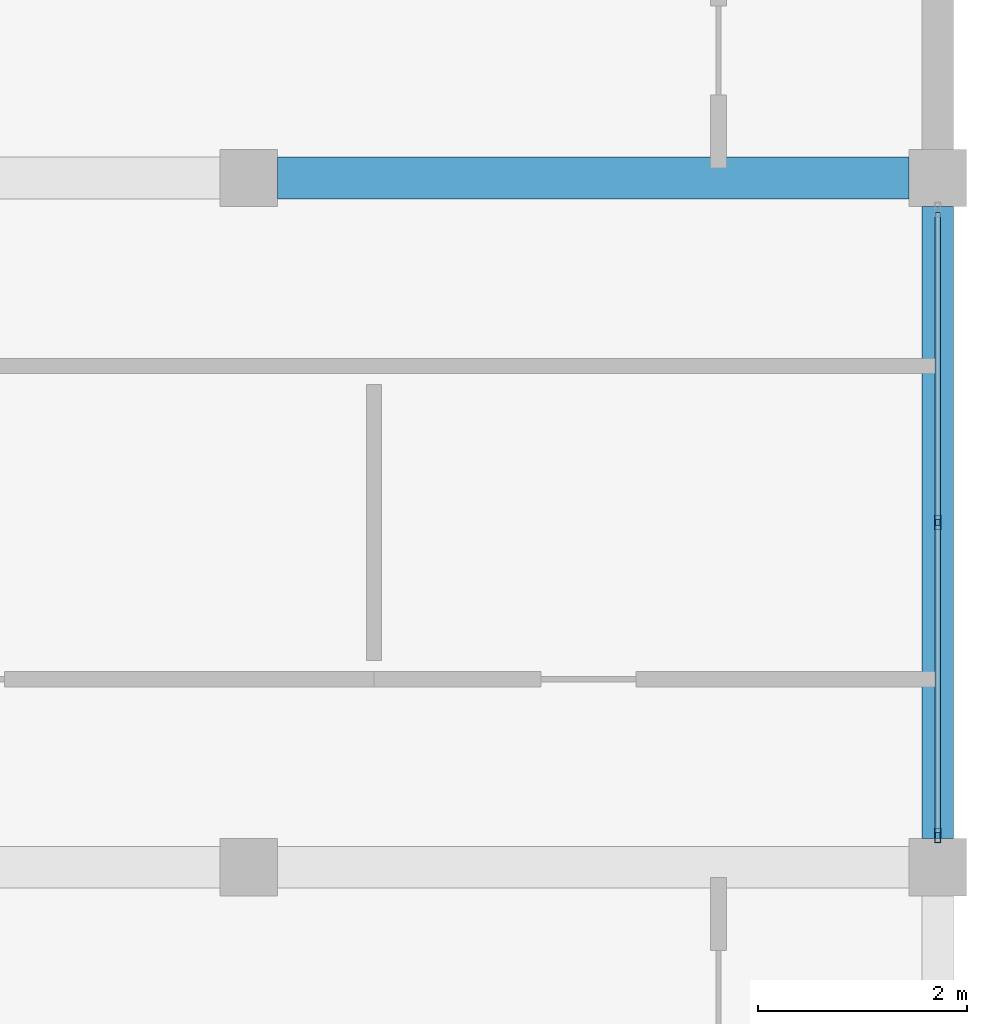
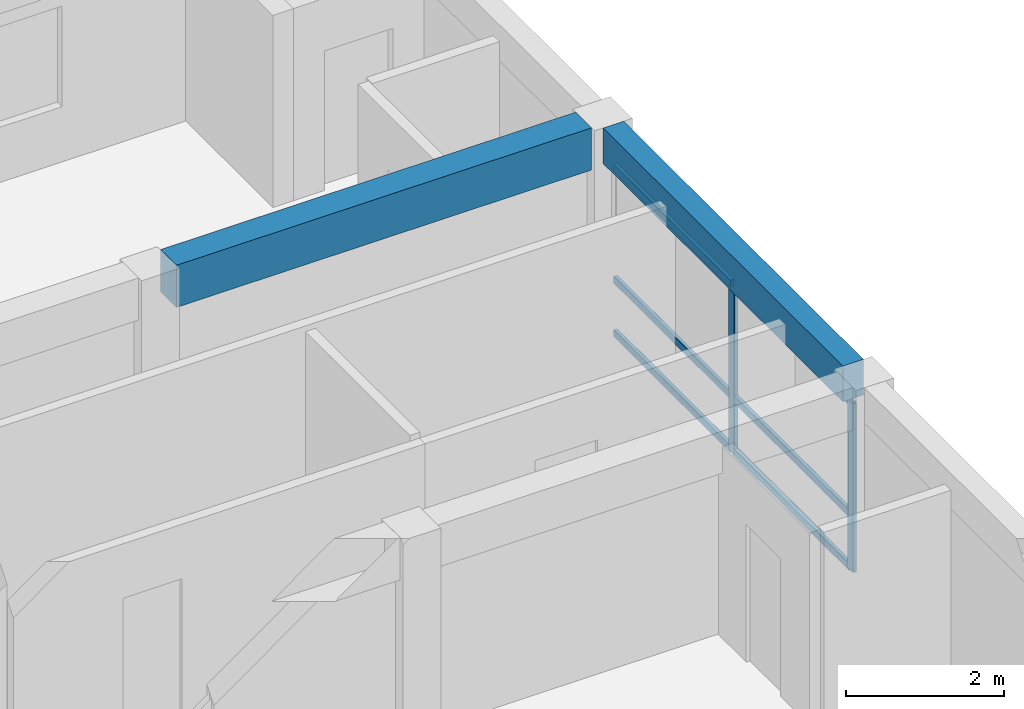
# One storey, part 22 of 52: 8 members, 2 beams, 1 element without a shape of its own.
"""IFC4 building model written with IfcOpenShell, lengths in metres."""

from ifc_helpers import new_model, si_unit, direction, frame, origin, origin_2d, place, context, subcontext, project, spatial, rectangle, hollow_rectangle, extrude, material, material_profile, profile_set, type_object, element, aggregate, save


model = new_model("IFC4")

# Units and contexts
model_context = context("Model", 3, precision=1e-05, world=origin(), true_north=direction((0.0, 1.0)))
body_context = subcontext(model_context, "Body", "Model", "MODEL_VIEW")
ifc_project = project(units=[si_unit("LENGTHUNIT", "METRE"), si_unit("AREAUNIT", "SQUARE_METRE"), si_unit("VOLUMEUNIT", "CUBIC_METRE"), si_unit("PLANEANGLEUNIT", "RADIAN"), si_unit("MASSUNIT", "GRAM", prefix="KILO")], contexts=[model_context])

# Site, building, storey
site_placement = place(None, origin())
site = spatial("IfcSite", under=ifc_project, at=site_placement, CompositionType="ELEMENT")
building_placement = place(site_placement, origin())
building = spatial("IfcBuilding", under=site, at=building_placement, Name="Kernevlak Ridge Housing Community", CompositionType="ELEMENT")
storey_placement = place(building_placement, frame((0.0, 0.0, 11.60009765625)))
storey = spatial("IfcBuildingStorey", under=building, at=storey_placement, Name="L03", CompositionType="ELEMENT", Elevation=11.60009765625)

# Beam
ifc_material_1 = material(Name="Concrete C35/45", Category="concrete")
ifc_material_profile_1 = material_profile(ifc_material_1, rectangle(XDim=0.39990234375, YDim=0.64990234375, at=origin_2d()), Name="RC 400x650")
ifc_profile_set_1 = profile_set([ifc_material_profile_1], Name="Concrete C35/45")
beam_type_1 = type_object("IfcBeamType", Name="B-03", PredefinedType="T_BEAM", material=ifc_profile_set_1)
beam_1_placement = place(storey_placement, frame((146.074951171875, 95.800048828125, 2.875), z_axis=(1.0, 0.0, 0.0), x_axis=(0.0, 1.0, 0.0)))
element("IfcBeam", 1, at=beam_1_placement, inside=storey, type_object=beam_type_1, Name="Beam B-03 L03 669", PredefinedType="T_BEAM", context=body_context, shape_type="SweptSolid", body=[
    extrude(rectangle(XDim=0.39990234375, YDim=0.64990234375, at=origin_2d()), origin(), (0.0, 0.0, 1.0), 6.050048828125),
])

# Curtain wall, members
ifc_material_2 = material(Name="Aluminium EN AW-6060 anodised and laminated glass", Category="aluminium")
curtain_wall_type = type_object("IfcCurtainWallType", Name="CW-11", PredefinedType="NOTDEFINED", material=ifc_material_2)
curtain_wall_placement = place(storey_placement, origin())
curtain_wall = element("IfcCurtainWall", 2, at=curtain_wall_placement, inside=storey, type_object=curtain_wall_type, Name="Curtain wall CW-11 CW-L03-066", PredefinedType="NOTDEFINED")
ifc_material_3 = material(Name="Aluminium EN AW-6060 anodised", Category="aluminium")
ifc_material_profile_2 = material_profile(ifc_material_3, hollow_rectangle(XDim=0.054931640625, YDim=0.139892578125, WallThickness=0.00390625, InnerFilletRadius=0.001953125, OuterFilletRadius=0.00390625, at=origin_2d()), Name="ALU 55x140x4")
ifc_profile_set_2 = profile_set([ifc_material_profile_2], Name="Aluminium EN AW-6060 anodised")
member_type_1 = type_object("IfcMemberType", Name="MU-01", PredefinedType="MULLION", material=ifc_profile_set_2)
member_1_placement = place(storey_placement, frame((152.39990234375, 89.50244140625, 0.0), z_axis=(0.0, 0.0, 1.0), x_axis=(-1.0, 0.0, 0.0)))
member_1 = element("IfcMember", 3, at=member_1_placement, type_object=member_type_1, Name="CW-11 mullion 1", PredefinedType="MULLION", context=body_context, shape_type="SweptSolid", body=[
    extrude(hollow_rectangle(XDim=0.054931640625, YDim=0.139892578125, WallThickness=0.00390625, InnerFilletRadius=0.001953125, OuterFilletRadius=0.00390625, at=origin_2d()), origin(), (0.0, 0.0, 1.0), 2.599853515625),
])
member_2_placement = place(storey_placement, frame((152.39990234375, 92.5, 0.0), z_axis=(0.0, 0.0, 1.0), x_axis=(-1.0, 0.0, 0.0)))
member_2 = element("IfcMember", 4, at=member_2_placement, type_object=member_type_1, Name="CW-11 mullion 2", PredefinedType="MULLION", context=body_context, shape_type="SweptSolid", body=[
    extrude(hollow_rectangle(XDim=0.054931640625, YDim=0.139892578125, WallThickness=0.00390625, InnerFilletRadius=0.001953125, OuterFilletRadius=0.00390625, at=origin_2d()), origin(), (0.0, 0.0, 1.0), 2.599853515625),
])

# Beam
ifc_material_profile_3 = material_profile(ifc_material_1, rectangle(XDim=0.300048828125, YDim=0.550048828125, at=origin_2d()), Name="RC 300x550")
ifc_profile_set_3 = profile_set([ifc_material_profile_3], Name="Concrete C35/45")
beam_type_2 = type_object("IfcBeamType", Name="SP-01", PredefinedType="SPANDREL", material=ifc_profile_set_3)
beam_2_placement = place(storey_placement, frame((152.39990234375, 89.47509765625, 2.9248046875), z_axis=(0.0, 1.0, 0.0), x_axis=(-1.0, 0.0, 0.0)))
element("IfcBeam", 5, at=beam_2_placement, inside=storey, type_object=beam_type_2, Name="Beam SP-01 L03 679", PredefinedType="SPANDREL", context=body_context, shape_type="SweptSolid", body=[
    extrude(rectangle(XDim=0.300048828125, YDim=0.550048828125, at=origin_2d()), origin(), (0.0, 0.0, 1.0), 6.0498046875),
])

# Member
ifc_material_profile_4 = material_profile(ifc_material_3, hollow_rectangle(XDim=0.054931640625, YDim=0.110107421875, WallThickness=0.00390625, InnerFilletRadius=0.001953125, OuterFilletRadius=0.00390625, at=origin_2d()), Name="ALU 55x110x4")
ifc_profile_set_4 = profile_set([ifc_material_profile_4], Name="Aluminium EN AW-6060 anodised")
member_type_2 = type_object("IfcMemberType", Name="TM-01", PredefinedType="USERDEFINED", material=ifc_profile_set_4)
member_3_placement = place(storey_placement, frame((152.39990234375, 89.530029296875, 0.02734375), z_axis=(0.0, 1.0, 0.0), x_axis=(-1.0, 0.0, 0.0)))
member_3 = element("IfcMember", 6, at=member_3_placement, type_object=member_type_2, Name="CW-11 transom 1.1", ObjectType="TRANSOM", PredefinedType="USERDEFINED", context=body_context, shape_type="SweptSolid", body=[
    extrude(hollow_rectangle(XDim=0.054931640625, YDim=0.110107421875, WallThickness=0.00390625, InnerFilletRadius=0.001953125, OuterFilletRadius=0.00390625, at=origin_2d()), origin(), (0.0, 0.0, 1.0), 2.9423828125),
])

member_4_placement = place(storey_placement, frame((152.39990234375, 89.530029296875, 0.849853515625), z_axis=(0.0, 1.0, 0.0), x_axis=(-1.0, 0.0, 0.0)))
member_4 = element("IfcMember", 7, at=member_4_placement, type_object=member_type_2, Name="CW-11 transom 1.2", ObjectType="TRANSOM", PredefinedType="USERDEFINED", context=body_context, shape_type="SweptSolid", body=[
    extrude(hollow_rectangle(XDim=0.054931640625, YDim=0.110107421875, WallThickness=0.00390625, InnerFilletRadius=0.001953125, OuterFilletRadius=0.00390625, at=origin_2d()), origin(), (0.0, 0.0, 1.0), 2.9423828125),
])

member_5_placement = place(storey_placement, frame((152.39990234375, 89.530029296875, 2.572509765625), z_axis=(0.0, 1.0, 0.0), x_axis=(-1.0, 0.0, 0.0)))
member_5 = element("IfcMember", 8, at=member_5_placement, type_object=member_type_2, Name="CW-11 transom 1.3", ObjectType="TRANSOM", PredefinedType="USERDEFINED", context=body_context, shape_type="SweptSolid", body=[
    extrude(hollow_rectangle(XDim=0.054931640625, YDim=0.110107421875, WallThickness=0.00390625, InnerFilletRadius=0.001953125, OuterFilletRadius=0.00390625, at=origin_2d()), origin(), (0.0, 0.0, 1.0), 2.9423828125),
])

member_6_placement = place(storey_placement, frame((152.39990234375, 92.527587890625, 0.02734375), z_axis=(0.0, 1.0, 0.0), x_axis=(-1.0, 0.0, 0.0)))
member_6 = element("IfcMember", 9, at=member_6_placement, type_object=member_type_2, Name="CW-11 transom 2.1", ObjectType="TRANSOM", PredefinedType="USERDEFINED", context=body_context, shape_type="SweptSolid", body=[
    extrude(hollow_rectangle(XDim=0.054931640625, YDim=0.110107421875, WallThickness=0.00390625, InnerFilletRadius=0.001953125, OuterFilletRadius=0.00390625, at=origin_2d()), origin(), (0.0, 0.0, 1.0), 2.9423828125),
])

member_7_placement = place(storey_placement, frame((152.39990234375, 92.527587890625, 0.849853515625), z_axis=(0.0, 1.0, 0.0), x_axis=(-1.0, 0.0, 0.0)))
member_7 = element("IfcMember", 10, at=member_7_placement, type_object=member_type_2, Name="CW-11 transom 2.2", ObjectType="TRANSOM", PredefinedType="USERDEFINED", context=body_context, shape_type="SweptSolid", body=[
    extrude(hollow_rectangle(XDim=0.054931640625, YDim=0.110107421875, WallThickness=0.00390625, InnerFilletRadius=0.001953125, OuterFilletRadius=0.00390625, at=origin_2d()), origin(), (0.0, 0.0, 1.0), 2.9423828125),
])

member_8_placement = place(storey_placement, frame((152.39990234375, 92.527587890625, 2.572509765625), z_axis=(0.0, 1.0, 0.0), x_axis=(-1.0, 0.0, 0.0)))
member_8 = element("IfcMember", 11, at=member_8_placement, type_object=member_type_2, Name="CW-11 transom 2.3", ObjectType="TRANSOM", PredefinedType="USERDEFINED", context=body_context, shape_type="SweptSolid", body=[
    extrude(hollow_rectangle(XDim=0.054931640625, YDim=0.110107421875, WallThickness=0.00390625, InnerFilletRadius=0.001953125, OuterFilletRadius=0.00390625, at=origin_2d()), origin(), (0.0, 0.0, 1.0), 2.9423828125),
])

aggregate(curtain_wall, [member_1, member_2, member_3, member_4, member_5, member_6, member_7, member_8])

save(model, "model.ifc")
